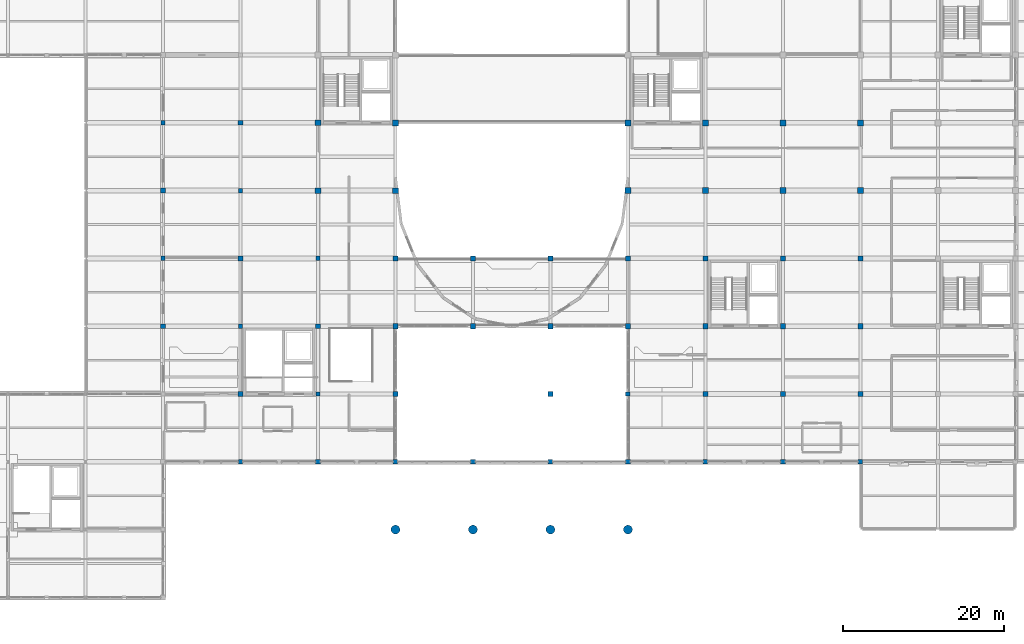
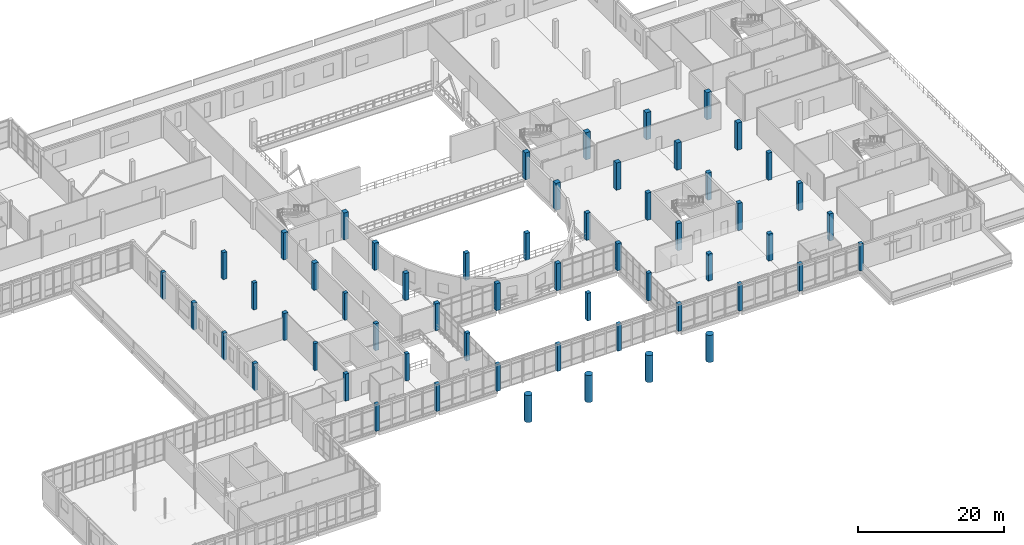
# One storey, part 2 of 88: 57 columns.
"""IFC4 building model written with IfcOpenShell, lengths in metres."""

from ifc_helpers import new_model, si_unit, direction, frame, origin, origin_2d, place, context, subcontext, project, spatial, rectangle, circle, extrude, material, material_profile, profile_set, type_object, element, save


model = new_model("IFC4")

# Units and contexts
model_context = context("Model", 3, precision=1e-05, world=origin(), true_north=direction((0.0, 1.0)))
body_context = subcontext(model_context, "Body", "Model", "MODEL_VIEW")
ifc_project = project(units=[si_unit("LENGTHUNIT", "METRE"), si_unit("AREAUNIT", "SQUARE_METRE"), si_unit("VOLUMEUNIT", "CUBIC_METRE"), si_unit("PLANEANGLEUNIT", "RADIAN"), si_unit("MASSUNIT", "GRAM", prefix="KILO")], contexts=[model_context])

# Site, building, storey
site_placement = place(None, origin())
site = spatial("IfcSite", under=ifc_project, at=site_placement, CompositionType="ELEMENT")
building_placement = place(site_placement, origin())
building = spatial("IfcBuilding", under=site, at=building_placement, Name="Lornevale Opera House", CompositionType="ELEMENT")
storey_placement = place(building_placement, frame((0.0, 0.0, 10.199951171875)))
storey = spatial("IfcBuildingStorey", under=building, at=storey_placement, Name="L03", CompositionType="ELEMENT", Elevation=10.199951171875)

# Columns
ifc_material_1 = material(Name="Concrete 35 MPa (CSA A23.1 N)", Category="concrete")
ifc_material_profile_1 = material_profile(ifc_material_1, rectangle(XDim=0.550048828125, YDim=0.550048828125, at=origin_2d()), Name="RC550x550")
ifc_profile_set_1 = profile_set([ifc_material_profile_1], Name="Concrete 35 MPa (CSA A23.1 N)")
column_type_1 = type_object("IfcColumnType", Name="Concrete Column 550x550", PredefinedType="COLUMN", material=ifc_profile_set_1)
for number, where, z_axis, x_axis, name in (
    (1, (38.39990234375, 42.0, 0.0), (0.0, 0.0, 1.0), (1.0, 0.0, 0.0), "Concrete Column 550x550 0244"),
    (2, (38.39990234375, 58.800048828125, 0.0), (0.0, 0.0, 1.0), (1.0, 0.0, 0.0), "Concrete Column 550x550 0254"),
    (3, (48.0, 16.800048828125, 0.0), (0.0, 0.0, 1.0), (1.0, 0.0, 0.0), "Concrete Column 550x550 0293"),
    (4, (48.0, 33.60009765625, 0.0), (0.0, 0.0, 1.0), (1.0, 0.0, 0.0), "Concrete Column 550x550 0303"),
    (5, (48.0, 50.39990234375, 0.0), (0.0, 0.0, 1.0), (1.0, 0.0, 0.0), "Concrete Column 550x550 0313"),
    (6, (57.60009765625, 25.199951171875, 0.0), (0.0, 0.0, 1.0), (1.0, 0.0, 0.0), "Concrete Column 550x550 0361"),
    (7, (57.60009765625, 42.0, 0.0), (0.0, 0.0, 1.0), (1.0, 0.0, 0.0), "Concrete Column 550x550 0371"),
    (8, (67.199951171875, 16.800048828125, 0.0), (0.0, 0.0, 1.0), (1.0, 0.0, 0.0), "Concrete Column 550x550 0426"),
    (9, (86.39990234375, 16.800048828125, 0.0), (0.0, 0.0, 1.0), (1.0, 0.0, 0.0), "Concrete Column 550x550 0555"),
):
    element("IfcColumn", number, at=place(storey_placement, frame(where, z_axis=z_axis, x_axis=x_axis)), inside=storey, type_object=column_type_1, Name=name, PredefinedType="COLUMN", context=body_context, shape_type="SweptSolid", body=[
        extrude(rectangle(XDim=0.550048828125, YDim=0.550048828125, at=origin_2d()), origin(), (0.0, 0.0, 1.0), 4.530029296875),
    ])
column_1_placement = place(storey_placement, frame((96.0, 25.199951171875, 0.0), z_axis=(0.0, 0.0, 1.0), x_axis=(1.0, 0.0, 0.0)))
element("IfcColumn", 10, at=column_1_placement, inside=storey, type_object=column_type_1, Name="Concrete Column 550x550 0612", PredefinedType="COLUMN", context=body_context, shape_type="SweptSolid", body=[
    extrude(rectangle(XDim=0.550048828125, YDim=0.550048828125, at=origin_2d()), origin(), (0.0, 0.0, 1.0), 4.64013671875),
])
for number, where, z_axis, x_axis, name in (
    (11, (105.60009765625, 16.800048828125, 0.0), (0.0, 0.0, 1.0), (1.0, 0.0, 0.0), "Concrete Column 550x550 0687"),
    (12, (124.800048828125, 16.800048828125, 0.0), (0.0, 0.0, 1.0), (1.0, 0.0, 0.0), "Concrete Column 550x550 0842"),
):
    element("IfcColumn", number, at=place(storey_placement, frame(where, z_axis=z_axis, x_axis=x_axis)), inside=storey, type_object=column_type_1, Name=name, PredefinedType="COLUMN", context=body_context, shape_type="SweptSolid", body=[
        extrude(rectangle(XDim=0.550048828125, YDim=0.550048828125, at=origin_2d()), origin(), (0.0, 0.0, 1.0), 4.530029296875),
    ])
ifc_material_profile_2 = material_profile(ifc_material_1, rectangle(XDim=0.60009765625, YDim=0.60009765625, at=origin_2d()), Name="RC600x600")
ifc_profile_set_2 = profile_set([ifc_material_profile_2], Name="Concrete 35 MPa (CSA A23.1 N)")
column_type_2 = type_object("IfcColumnType", Name="Concrete Column 600x600", PredefinedType="COLUMN", material=ifc_profile_set_2)
for number, where, z_axis, x_axis, name in (
    (13, (38.39990234375, 33.60009765625, 0.0), (0.0, 0.0, 1.0), (1.0, 0.0, 0.0), "Concrete Column 600x600 0239"),
    (14, (38.39990234375, 50.39990234375, 0.0), (0.0, 0.0, 1.0), (1.0, 0.0, 0.0), "Concrete Column 600x600 0249"),
    (15, (48.0, 25.199951171875, 0.0), (0.0, 0.0, 1.0), (1.0, 0.0, 0.0), "Concrete Column 600x600 0298"),
    (16, (48.0, 42.0, 0.0), (0.0, 0.0, 1.0), (1.0, 0.0, 0.0), "Concrete Column 600x600 0308"),
    (17, (48.0, 58.800048828125, 0.0), (0.0, 0.0, 1.0), (1.0, 0.0, 0.0), "Concrete Column 600x600 0318"),
    (18, (57.60009765625, 16.800048828125, 0.0), (0.0, 0.0, 1.0), (1.0, 0.0, 0.0), "Concrete Column 600x600 0356"),
    (19, (57.60009765625, 33.60009765625, 0.0), (0.0, 0.0, 1.0), (1.0, 0.0, 0.0), "Concrete Column 600x600 0366"),
):
    element("IfcColumn", number, at=place(storey_placement, frame(where, z_axis=z_axis, x_axis=x_axis)), inside=storey, type_object=column_type_2, Name=name, PredefinedType="COLUMN", context=body_context, shape_type="SweptSolid", body=[
        extrude(rectangle(XDim=0.60009765625, YDim=0.60009765625, at=origin_2d()), origin(), (0.0, 0.0, 1.0), 4.530029296875),
    ])
column_2_placement = place(storey_placement, frame((67.199951171875, 25.199951171875, 0.0), z_axis=(0.0, 0.0, 1.0), x_axis=(1.0, 0.0, 0.0)))
element("IfcColumn", 20, at=column_2_placement, inside=storey, type_object=column_type_2, Name="Concrete Column 600x600 0431", PredefinedType="COLUMN", context=body_context, shape_type="SweptSolid", body=[
    extrude(rectangle(XDim=0.60009765625, YDim=0.60009765625, at=origin_2d()), origin(), (0.0, 0.0, 1.0), 4.64013671875),
])
column_3_placement = place(storey_placement, frame((76.800048828125, 16.800048828125, 0.0), z_axis=(0.0, 0.0, 1.0), x_axis=(1.0, 0.0, 0.0)))
element("IfcColumn", 21, at=column_3_placement, inside=storey, type_object=column_type_2, Name="Concrete Column 600x600 0508", PredefinedType="COLUMN", context=body_context, shape_type="SweptSolid", body=[
    extrude(rectangle(XDim=0.60009765625, YDim=0.60009765625, at=origin_2d()), origin(), (0.0, 0.0, 1.0), 4.530029296875),
])
column_4_placement = place(storey_placement, frame((86.39990234375, 25.199951171875, 0.0), z_axis=(0.0, 0.0, 1.0), x_axis=(1.0, 0.0, 0.0)))
element("IfcColumn", 22, at=column_4_placement, inside=storey, type_object=column_type_2, Name="Concrete Column 600x600 0560", PredefinedType="COLUMN", context=body_context, shape_type="SweptSolid", body=[
    extrude(rectangle(XDim=0.60009765625, YDim=0.60009765625, at=origin_2d()), origin(), (0.0, 0.0, 1.0), 4.64013671875),
])
for number, where, z_axis, x_axis, name in (
    (23, (96.0, 16.800048828125, 0.0), (0.0, 0.0, 1.0), (1.0, 0.0, 0.0), "Concrete Column 600x600 0607"),
    (24, (115.199951171875, 16.800048828125, 0.0), (0.0, 0.0, 1.0), (1.0, 0.0, 0.0), "Concrete Column 600x600 0762"),
):
    element("IfcColumn", number, at=place(storey_placement, frame(where, z_axis=z_axis, x_axis=x_axis)), inside=storey, type_object=column_type_2, Name=name, PredefinedType="COLUMN", context=body_context, shape_type="SweptSolid", body=[
        extrude(rectangle(XDim=0.60009765625, YDim=0.60009765625, at=origin_2d()), origin(), (0.0, 0.0, 1.0), 4.530029296875),
    ])
ifc_material_2 = material(Name="Concrete 40 MPa (CSA A23.1 C-1)", Category="concrete")
ifc_material_profile_3 = material_profile(ifc_material_2, rectangle(XDim=0.64990234375, YDim=0.64990234375, at=origin_2d()), Name="RC650x650")
ifc_profile_set_3 = profile_set([ifc_material_profile_3], Name="Concrete 40 MPa (CSA A23.1 C-1)")
column_type_3 = type_object("IfcColumnType", Name="Concrete Column 650x650", PredefinedType="COLUMN", material=ifc_profile_set_3)
for number, where, z_axis, x_axis, name in (
    (25, (67.199951171875, 33.60009765625, 0.0), (0.0, 0.0, 1.0), (1.0, 0.0, 0.0), "Concrete Column 650x650 0436"),
    (26, (67.199951171875, 42.0, 0.0), (0.0, 0.0, 1.0), (1.0, 0.0, 0.0), "Concrete Column 650x650 0442"),
    (27, (76.800048828125, 33.60009765625, 0.0), (0.0, 0.0, 1.0), (1.0, 0.0, 0.0), "Concrete Column 650x650 0515"),
    (28, (76.800048828125, 42.0, 0.0), (0.0, 0.0, 1.0), (1.0, 0.0, 0.0), "Concrete Column 650x650 0521"),
    (29, (86.39990234375, 33.60009765625, 0.0), (0.0, 0.0, 1.0), (1.0, 0.0, 0.0), "Concrete Column 650x650 0565"),
    (30, (86.39990234375, 42.0, 0.0), (0.0, 0.0, 1.0), (1.0, 0.0, 0.0), "Concrete Column 650x650 0571"),
    (31, (96.0, 33.60009765625, 0.0), (0.0, 0.0, 1.0), (1.0, 0.0, 0.0), "Concrete Column 650x650 0617"),
    (32, (96.0, 42.0, 0.0), (0.0, 0.0, 1.0), (1.0, 0.0, 0.0), "Concrete Column 650x650 0623"),
    (33, (105.60009765625, 25.199951171875, 0.0), (0.0, 0.0, 1.0), (1.0, 0.0, 0.0), "Concrete Column 650x650 0692"),
):
    element("IfcColumn", number, at=place(storey_placement, frame(where, z_axis=z_axis, x_axis=x_axis)), inside=storey, type_object=column_type_3, Name=name, PredefinedType="COLUMN", context=body_context, shape_type="SweptSolid", body=[
        extrude(rectangle(XDim=0.64990234375, YDim=0.64990234375, at=origin_2d()), origin(), (0.0, 0.0, 1.0), 4.530029296875),
    ])
for number, where, z_axis, x_axis, name in (
    (34, (105.60009765625, 33.60009765625, 0.0), (0.0, 0.0, 1.0), (1.0, 0.0, 0.0), "Concrete Column 650x650 0698"),
    (35, (105.60009765625, 42.0, 0.0), (0.0, 0.0, 1.0), (1.0, 0.0, 0.0), "Concrete Column 650x650 0704"),
):
    element("IfcColumn", number, at=place(storey_placement, frame(where, z_axis=z_axis, x_axis=x_axis)), inside=storey, type_object=column_type_3, Name=name, PredefinedType="COLUMN", context=body_context, shape_type="SweptSolid", body=[
        extrude(rectangle(XDim=0.64990234375, YDim=0.64990234375, at=origin_2d()), origin(), (0.0, 0.0, 1.0), 4.56005859375),
    ])
column_5_placement = place(storey_placement, frame((115.199951171875, 25.199951171875, 0.0), z_axis=(0.0, 0.0, 1.0), x_axis=(1.0, 0.0, 0.0)))
element("IfcColumn", 36, at=column_5_placement, inside=storey, type_object=column_type_3, Name="Concrete Column 650x650 0767", PredefinedType="COLUMN", context=body_context, shape_type="SweptSolid", body=[
    extrude(rectangle(XDim=0.64990234375, YDim=0.64990234375, at=origin_2d()), origin(), (0.0, 0.0, 1.0), 4.530029296875),
])
for number, where, z_axis, x_axis, name in (
    (37, (115.199951171875, 33.60009765625, 0.0), (0.0, 0.0, 1.0), (1.0, 0.0, 0.0), "Concrete Column 650x650 0773"),
    (38, (115.199951171875, 42.0, 0.0), (0.0, 0.0, 1.0), (1.0, 0.0, 0.0), "Concrete Column 650x650 0779"),
):
    element("IfcColumn", number, at=place(storey_placement, frame(where, z_axis=z_axis, x_axis=x_axis)), inside=storey, type_object=column_type_3, Name=name, PredefinedType="COLUMN", context=body_context, shape_type="SweptSolid", body=[
        extrude(rectangle(XDim=0.64990234375, YDim=0.64990234375, at=origin_2d()), origin(), (0.0, 0.0, 1.0), 4.56005859375),
    ])
column_6_placement = place(storey_placement, frame((124.800048828125, 25.199951171875, 0.0), z_axis=(0.0, 0.0, 1.0), x_axis=(1.0, 0.0, 0.0)))
element("IfcColumn", 39, at=column_6_placement, inside=storey, type_object=column_type_3, Name="Concrete Column 650x650 0847", PredefinedType="COLUMN", context=body_context, shape_type="SweptSolid", body=[
    extrude(rectangle(XDim=0.64990234375, YDim=0.64990234375, at=origin_2d()), origin(), (0.0, 0.0, 1.0), 4.530029296875),
])
for number, where, z_axis, x_axis, name in (
    (40, (124.800048828125, 33.60009765625, 0.0), (0.0, 0.0, 1.0), (1.0, 0.0, 0.0), "Concrete Column 650x650 0853"),
    (41, (124.800048828125, 42.0, 0.0), (0.0, 0.0, 1.0), (1.0, 0.0, 0.0), "Concrete Column 650x650 0859"),
):
    element("IfcColumn", number, at=place(storey_placement, frame(where, z_axis=z_axis, x_axis=x_axis)), inside=storey, type_object=column_type_3, Name=name, PredefinedType="COLUMN", context=body_context, shape_type="SweptSolid", body=[
        extrude(rectangle(XDim=0.64990234375, YDim=0.64990234375, at=origin_2d()), origin(), (0.0, 0.0, 1.0), 4.56005859375),
    ])
ifc_material_profile_4 = material_profile(ifc_material_2, rectangle(XDim=0.699951171875, YDim=0.699951171875, at=origin_2d()), Name="RC700x700")
ifc_profile_set_4 = profile_set([ifc_material_profile_4], Name="Concrete 40 MPa (CSA A23.1 C-1)")
column_type_4 = type_object("IfcColumnType", Name="Concrete Column 700x700", PredefinedType="COLUMN", material=ifc_profile_set_4)
for number, where, z_axis, x_axis, name in (
    (42, (57.60009765625, 50.39990234375, 0.0), (0.0, 0.0, 1.0), (1.0, 0.0, 0.0), "Concrete Column 700x700 0376"),
    (43, (57.60009765625, 58.800048828125, 0.0), (0.0, 0.0, 1.0), (1.0, 0.0, 0.0), "Concrete Column 700x700 0383"),
    (44, (67.199951171875, 50.39990234375, 0.0), (0.0, 0.0, 1.0), (1.0, 0.0, 0.0), "Concrete Column 700x700 0448"),
):
    element("IfcColumn", number, at=place(storey_placement, frame(where, z_axis=z_axis, x_axis=x_axis)), inside=storey, type_object=column_type_4, Name=name, PredefinedType="COLUMN", context=body_context, shape_type="SweptSolid", body=[
        extrude(rectangle(XDim=0.699951171875, YDim=0.699951171875, at=origin_2d()), origin(), (0.0, 0.0, 1.0), 4.530029296875),
    ])
ifc_material_profile_5 = material_profile(ifc_material_2, rectangle(XDim=0.75, YDim=0.75, at=origin_2d()), Name="RC750x750")
ifc_profile_set_5 = profile_set([ifc_material_profile_5], Name="Concrete 40 MPa (CSA A23.1 C-1)")
column_type_5 = type_object("IfcColumnType", Name="Concrete Column 750x750", PredefinedType="COLUMN", material=ifc_profile_set_5)
for number, where, z_axis, x_axis, name in (
    (45, (67.199951171875, 58.800048828125, 0.0), (0.0, 0.0, 1.0), (1.0, 0.0, 0.0), "Concrete Column 750x750 0455"),
    (46, (96.0, 50.39990234375, 0.0), (0.0, 0.0, 1.0), (1.0, 0.0, 0.0), "Concrete Column 750x750 0629"),
    (47, (96.0, 58.800048828125, 0.0), (0.0, 0.0, 1.0), (1.0, 0.0, 0.0), "Concrete Column 750x750 0637"),
):
    element("IfcColumn", number, at=place(storey_placement, frame(where, z_axis=z_axis, x_axis=x_axis)), inside=storey, type_object=column_type_5, Name=name, PredefinedType="COLUMN", context=body_context, shape_type="SweptSolid", body=[
        extrude(rectangle(XDim=0.75, YDim=0.75, at=origin_2d()), origin(), (0.0, 0.0, 1.0), 4.530029296875),
    ])
for number, where, z_axis, x_axis, name in (
    (48, (105.60009765625, 50.39990234375, 0.0), (0.0, 0.0, 1.0), (1.0, 0.0, 0.0), "Concrete Column 750x750 0710"),
    (49, (105.60009765625, 58.800048828125, 0.0), (0.0, 0.0, 1.0), (1.0, 0.0, 0.0), "Concrete Column 750x750 0718"),
    (50, (115.199951171875, 50.39990234375, 0.0), (0.0, 0.0, 1.0), (1.0, 0.0, 0.0), "Concrete Column 750x750 0785"),
    (51, (115.199951171875, 58.800048828125, 0.0), (0.0, 0.0, 1.0), (1.0, 0.0, 0.0), "Concrete Column 750x750 0793"),
    (52, (124.800048828125, 50.39990234375, 0.0), (0.0, 0.0, 1.0), (1.0, 0.0, 0.0), "Concrete Column 750x750 0865"),
    (53, (124.800048828125, 58.800048828125, 0.0), (0.0, 0.0, 1.0), (1.0, 0.0, 0.0), "Concrete Column 750x750 0873"),
):
    element("IfcColumn", number, at=place(storey_placement, frame(where, z_axis=z_axis, x_axis=x_axis)), inside=storey, type_object=column_type_5, Name=name, PredefinedType="COLUMN", context=body_context, shape_type="SweptSolid", body=[
        extrude(rectangle(XDim=0.75, YDim=0.75, at=origin_2d()), origin(), (0.0, 0.0, 1.0), 4.56005859375),
    ])
ifc_material_3 = material(Name="Precast Concrete 40 MPa (CSA A23.1 C-1)", Category="concrete")
ifc_material_profile_6 = material_profile(ifc_material_3, circle(Radius=0.550048828125, at=origin_2d()), Name="RCCOL1100")
ifc_profile_set_6 = profile_set([ifc_material_profile_6], Name="Precast Concrete 40 MPa (CSA A23.1 C-1)")
column_type_6 = type_object("IfcColumnType", Name="Postmodern Portico Column D1100", PredefinedType="COLUMN", material=ifc_profile_set_6)
for number, where, z_axis, x_axis, name in (
    (54, (67.199951171875, 8.39990234375, 0.0), (0.0, 0.0, 1.0), (1.0, 0.0, 0.0), "Postmodern Portico Column D1100 0421"),
    (55, (76.800048828125, 8.39990234375, 0.0), (0.0, 0.0, 1.0), (1.0, 0.0, 0.0), "Postmodern Portico Column D1100 0503"),
    (56, (86.39990234375, 8.39990234375, 0.0), (0.0, 0.0, 1.0), (1.0, 0.0, 0.0), "Postmodern Portico Column D1100 0550"),
    (57, (96.0, 8.39990234375, 0.0), (0.0, 0.0, 1.0), (1.0, 0.0, 0.0), "Postmodern Portico Column D1100 0602"),
):
    element("IfcColumn", number, at=place(storey_placement, frame(where, z_axis=z_axis, x_axis=x_axis)), inside=storey, type_object=column_type_6, Name=name, PredefinedType="COLUMN", context=body_context, shape_type="SweptSolid", body=[
        extrude(circle(Radius=0.550048828125, at=origin_2d()), origin(), (0.0, 0.0, 1.0), 4.530029296875),
    ])

save(model, "model.ifc")
